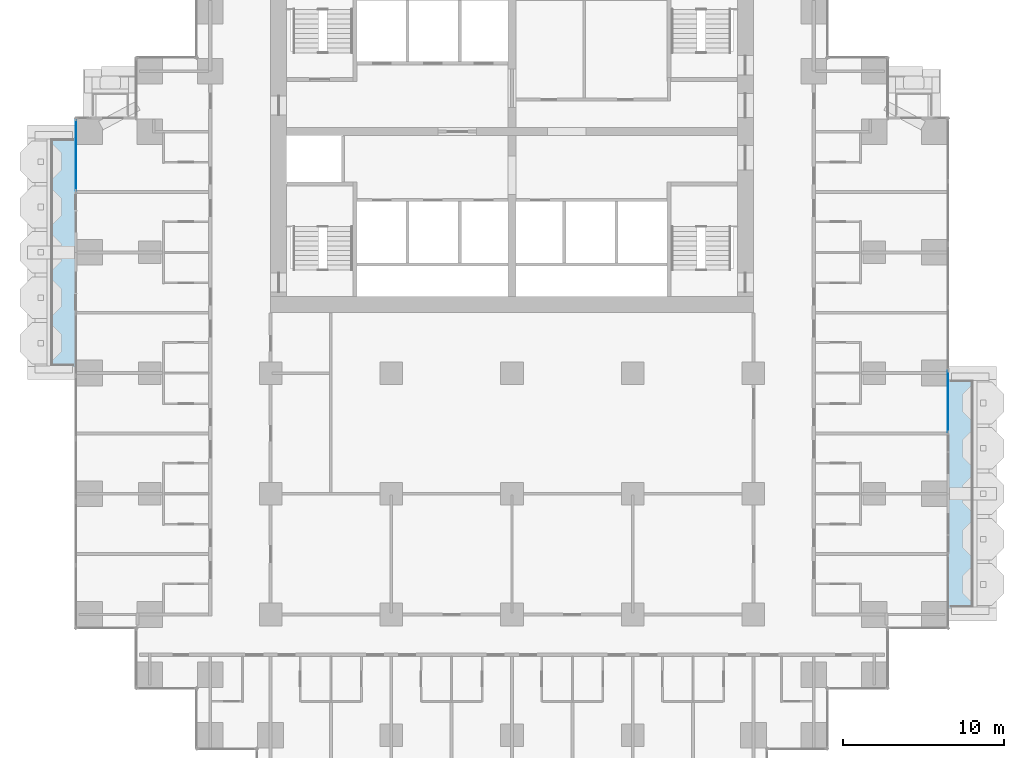
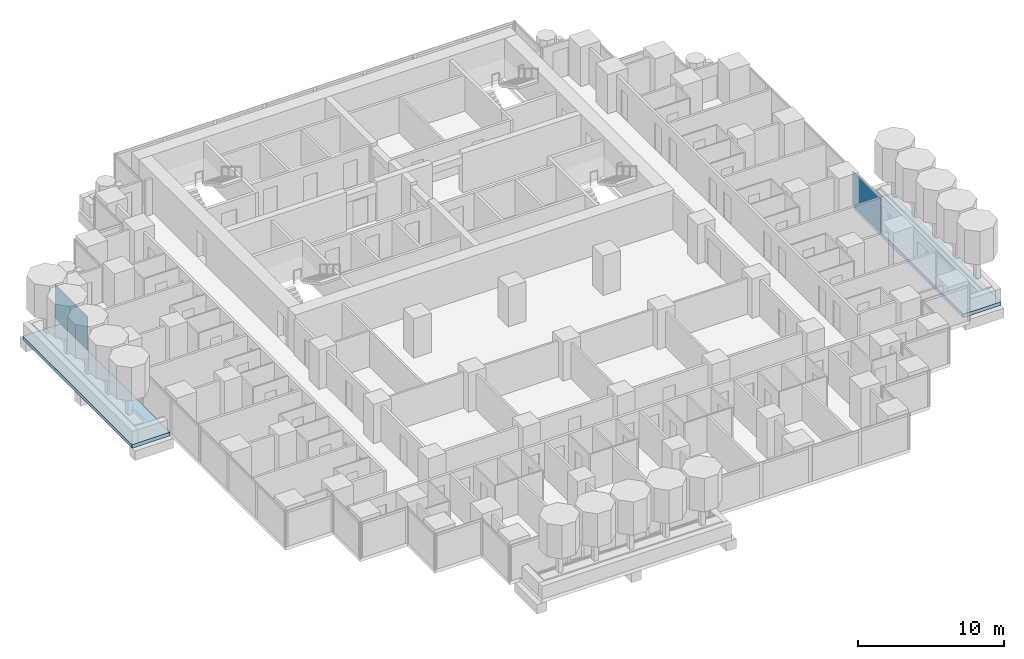
# One storey, part 7 of 18: 2 plates, 2 slabs, 2 elements without a shape of their own.
"""IFC4 building model written with IfcOpenShell, lengths in metres."""

from ifc_helpers import new_model, si_unit, direction, frame, origin, origin_2d, place, context, subcontext, project, spatial, polyline, rectangle, outline, extrude, material, layer, layer_set, type_object, element, aggregate, save


model = new_model("IFC4")

# Units and contexts
model_context = context("Model", 3, precision=1e-05, world=origin(), true_north=direction((0.0, 1.0)))
body_context = subcontext(model_context, "Body", "Model", "MODEL_VIEW")
ifc_project = project(units=[si_unit("LENGTHUNIT", "METRE"), si_unit("AREAUNIT", "SQUARE_METRE"), si_unit("VOLUMEUNIT", "CUBIC_METRE"), si_unit("PLANEANGLEUNIT", "RADIAN"), si_unit("MASSUNIT", "GRAM", prefix="KILO")], contexts=[model_context])

# Site, building, storey
site_placement = place(None, origin())
site = spatial("IfcSite", under=ifc_project, at=site_placement, CompositionType="ELEMENT")
building_placement = place(site_placement, origin())
building = spatial("IfcBuilding", under=site, at=building_placement, Name="Pilkhan Gate Tower", CompositionType="ELEMENT")
storey_placement = place(building_placement, frame((0.0, 0.0, 42.800048828125)))
storey = spatial("IfcBuildingStorey", under=building, at=storey_placement, Name="L07", CompositionType="ELEMENT", Elevation=42.800048828125)

# Slabs
ifc_material_1 = material(Name="Concrete C60/75", Category="concrete")
ifc_layer_1 = layer(ifc_material_1, 0.300048828125)
ifc_layer_set_1 = layer_set([ifc_layer_1], Name="Balcony tray slab TR300")
slab_type = type_object("IfcSlabType", Name="Balcony tray slab TR300", PredefinedType="FLOOR", material=ifc_layer_set_1)
slab_1_placement = place(storey_placement, frame((0.0, 0.0, -0.300048828125)))
element("IfcSlab", 1, at=slab_1_placement, inside=storey, type_object=slab_type, Name="Balcony tray L07 E", PredefinedType="FLOOR", context=body_context, shape_type="SweptSolid", body=[
    extrude(outline(polyline([(105.10009765625, 52.5), (105.10009765625, 67.5), (102.10009765625, 67.5), (102.10009765625, 52.5), (105.10009765625, 52.5)])), origin(), (0.0, 0.0, 1.0), 0.300048828125),
])
slab_2_placement = place(storey_placement, frame((0.0, 0.0, -0.300048828125)))
element("IfcSlab", 2, at=slab_2_placement, inside=storey, type_object=slab_type, Name="Balcony tray L07 W", PredefinedType="FLOOR", context=body_context, shape_type="SweptSolid", body=[
    extrude(outline(polyline([(47.89990234375, 67.5), (47.89990234375, 82.5), (44.89990234375, 82.5), (44.89990234375, 67.5), (47.89990234375, 67.5)])), origin(), (0.0, 0.0, 1.0), 0.300048828125),
])

# Curtain wall, plate
ifc_material_2 = material(Name="Pale anodised aluminium, clear low-iron double glazing", Category="aluminium")
curtain_wall_type = type_object("IfcCurtainWallType", Name="Hotel unitised curtain wall CW-H", PredefinedType="USERDEFINED", material=ifc_material_2)
curtain_wall_1_placement = place(storey_placement, origin())
curtain_wall_1 = element("IfcCurtainWall", 3, at=curtain_wall_1_placement, inside=storey, type_object=curtain_wall_type, Name="Hotel unitised curtain wall CW-H L07 E", ObjectType="UNITISED CURTAIN WALL", PredefinedType="USERDEFINED")
ifc_material_3 = material(Name="Clear low-iron double glazing", Category="glass")
ifc_layer_2 = layer(ifc_material_3, 0.035888671875)
ifc_layer_set_2 = layer_set([ifc_layer_2], Name="Glass panel CW-H 36")
plate_type = type_object("IfcPlateType", Name="Glass panel CW-H 36", PredefinedType="CURTAIN_PANEL", material=ifc_layer_set_2)
plate_1_placement = place(storey_placement, frame((102.094970703125, 65.725830078125, 0.0), z_axis=(0.0, 0.0, 1.0), x_axis=(0.0, 1.0, 0.0)))
plate_1 = element("IfcPlate", 4, at=plate_1_placement, type_object=plate_type, Name="CW-H panel 1", PredefinedType="CURTAIN_PANEL", context=body_context, shape_type="SweptSolid", body=[
    extrude(rectangle(XDim=3.821533203125, YDim=0.035888671875, at=origin_2d()), origin(), (0.0, 0.0, 1.0), 2.820068359375),
])
aggregate(curtain_wall_1, [plate_1])

curtain_wall_2_placement = place(storey_placement, origin())
curtain_wall_2 = element("IfcCurtainWall", 5, at=curtain_wall_2_placement, inside=storey, type_object=curtain_wall_type, Name="Hotel unitised curtain wall CW-H L07 W", ObjectType="UNITISED CURTAIN WALL", PredefinedType="USERDEFINED")
plate_2_placement = place(storey_placement, frame((47.905029296875, 81.047607421875, 0.0), z_axis=(0.0, 0.0, 1.0), x_axis=(0.0, 1.0, 0.0)))
plate_2 = element("IfcPlate", 6, at=plate_2_placement, type_object=plate_type, Name="CW-H panel 1", PredefinedType="CURTAIN_PANEL", context=body_context, shape_type="SweptSolid", body=[
    extrude(rectangle(XDim=4.465087890625, YDim=0.035888671875, at=origin_2d()), origin(), (0.0, 0.0, 1.0), 2.820068359375),
])
aggregate(curtain_wall_2, [plate_2])

save(model, "model.ifc")
